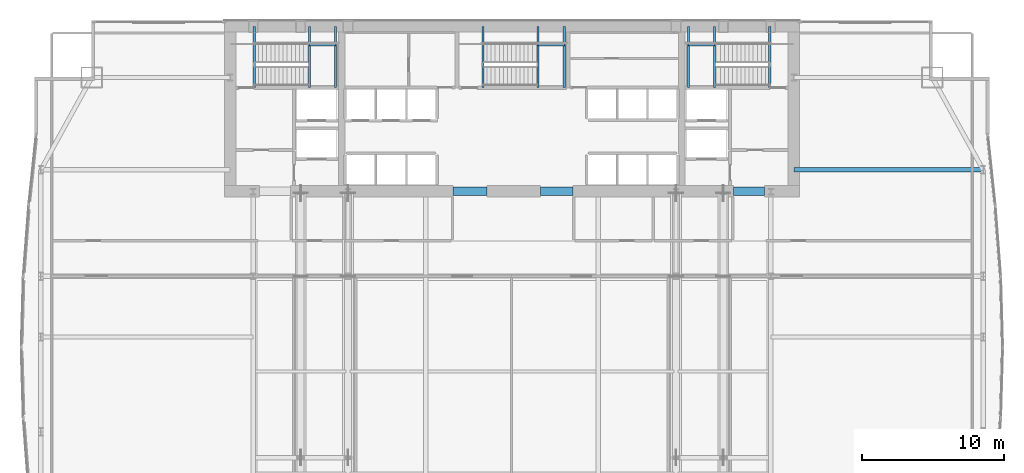
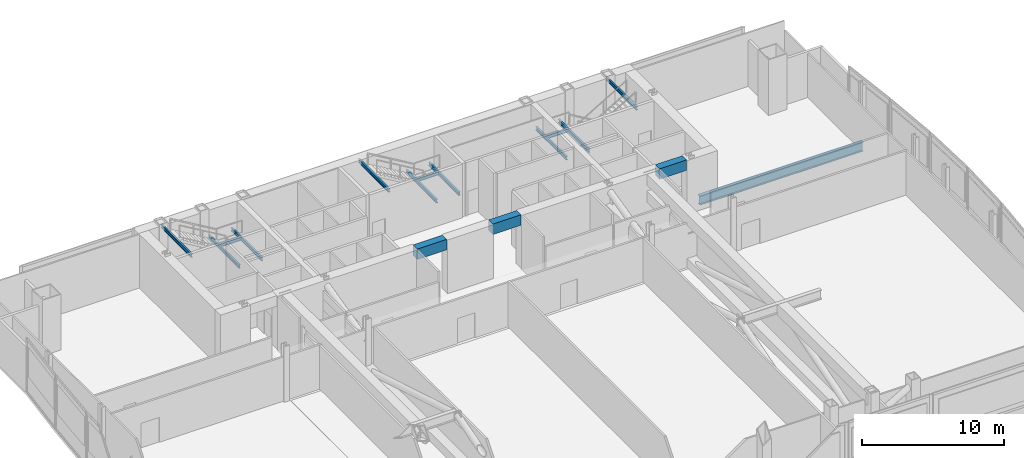
# One storey, part 19 of 32: 16 beams.
"""IFC4 building model written with IfcOpenShell, lengths in metres."""

from ifc_helpers import new_model, si_unit, direction, frame, origin, origin_2d, place, context, subcontext, project, spatial, rectangle, i_section, extrude, material, material_profile, profile_set, type_object, element, save


model = new_model("IFC4")

# Units and contexts
model_context = context("Model", 3, precision=1e-05, world=origin(), true_north=direction((0.0, 1.0)))
body_context = subcontext(model_context, "Body", "Model", "MODEL_VIEW")
ifc_project = project(units=[si_unit("LENGTHUNIT", "METRE"), si_unit("AREAUNIT", "SQUARE_METRE"), si_unit("VOLUMEUNIT", "CUBIC_METRE"), si_unit("PLANEANGLEUNIT", "RADIAN"), si_unit("MASSUNIT", "GRAM", prefix="KILO")], contexts=[model_context])

# Site, building, storey
site_placement = place(None, origin())
site = spatial("IfcSite", under=ifc_project, at=site_placement, CompositionType="ELEMENT")
building_placement = place(site_placement, origin())
building = spatial("IfcBuilding", under=site, at=building_placement, Name="Khoronbel Lancet Exchange", CompositionType="ELEMENT")
storey_placement = place(building_placement, frame((0.0, 0.0, 85.800048828125)))
storey = spatial("IfcBuildingStorey", under=building, at=storey_placement, Name="L20", CompositionType="ELEMENT", Elevation=85.800048828125)

# Beams
ifc_material_1 = material(Name="Steel S355", Category="steel")
ifc_material_profile_1 = material_profile(ifc_material_1, i_section(OverallWidth=0.300048828125, OverallDepth=0.800048828125, WebThickness=0.017578125, FlangeThickness=0.032958984375, at=origin_2d()), Name="HEB 800")
ifc_profile_set_1 = profile_set([ifc_material_profile_1], Name="Steel S355")
beam_type_1 = type_object("IfcBeamType", Name="BM-BG2", PredefinedType="BEAM", material=ifc_profile_set_1)
beam_1_placement = place(storey_placement, frame((56.300048828125, 43.199951171875, -0.6201171875), z_axis=(1.0, 0.0, 0.0), x_axis=(0.0, 1.0, 0.0)))
element("IfcBeam", 1, at=beam_1_placement, inside=storey, type_object=beam_type_1, Name="Level L20 east lens tie girder LG3E", PredefinedType="BEAM", context=body_context, shape_type="SweptSolid", body=[
    extrude(i_section(OverallWidth=0.300048828125, OverallDepth=0.800048828125, WebThickness=0.017578125, FlangeThickness=0.032958984375, at=origin_2d()), origin(), (0.0, 0.0, 1.0), 13.329833984375),
])
ifc_material_profile_2 = material_profile(ifc_material_1, i_section(OverallWidth=0.14990234375, OverallDepth=0.300048828125, WebThickness=0.007080078125, FlangeThickness=0.0107421875, at=origin_2d()), Name="IPE 300")
ifc_profile_set_2 = profile_set([ifc_material_profile_2], Name="Steel S355")
beam_type_2 = type_object("IfcBeamType", Name="BM-BJ8", PredefinedType="JOIST", material=ifc_profile_set_2)
for number, where, z_axis, x_axis, name in (
    (2, (22.18994140625, 48.97998046875, 2.050048828125), (0.0, 1.0, 0.0), (-1.0, 0.0, 0.0), "Level L20 stair ST1 landing bearer beam 1"),
    (3, (24.030029296875, 48.97998046875, 2.050048828125), (0.0, 1.0, 0.0), (-1.0, 0.0, 0.0), "Level L20 stair ST1 rear landing bearer beam 1"),
):
    element("IfcBeam", number, at=place(storey_placement, frame(where, z_axis=z_axis, x_axis=x_axis)), inside=storey, type_object=beam_type_2, Name=name, PredefinedType="JOIST", context=body_context, shape_type="SweptSolid", body=[
        extrude(i_section(OverallWidth=0.14990234375, OverallDepth=0.300048828125, WebThickness=0.007080078125, FlangeThickness=0.0107421875, at=origin_2d()), origin(), (0.0, 0.0, 1.0), 4.320068359375),
    ])
beam_2_placement = place(storey_placement, frame((22.18994140625, 51.97998046875, 2.050048828125), z_axis=(1.0, 0.0, 0.0), x_axis=(0.0, 1.0, 0.0)))
element("IfcBeam", 4, at=beam_2_placement, inside=storey, type_object=beam_type_2, Name="Level L20 stair ST1 landing cross trimmer beam 1", PredefinedType="JOIST", context=body_context, shape_type="SweptSolid", body=[
    extrude(i_section(OverallWidth=0.14990234375, OverallDepth=0.300048828125, WebThickness=0.007080078125, FlangeThickness=0.0107421875, at=origin_2d()), origin(), (0.0, 0.0, 1.0), 1.840087890625),
])
for number, where, z_axis, x_axis, name in (
    (5, (18.300048828125, 48.97998046875, 4.33984375), (0.0, 1.0, 0.0), (-1.0, 0.0, 0.0), "Level L20 stair ST1 upper-flight arrival trimmer beam"),
    (6, (50.7099609375, 48.97998046875, 2.050048828125), (0.0, 1.0, 0.0), (-1.0, 0.0, 0.0), "Level L20 stair ST2 landing bearer beam 1"),
    (7, (48.8701171875, 48.97998046875, 2.050048828125), (0.0, 1.0, 0.0), (-1.0, 0.0, 0.0), "Level L20 stair ST2 rear landing bearer beam 1"),
):
    element("IfcBeam", number, at=place(storey_placement, frame(where, z_axis=z_axis, x_axis=x_axis)), inside=storey, type_object=beam_type_2, Name=name, PredefinedType="JOIST", context=body_context, shape_type="SweptSolid", body=[
        extrude(i_section(OverallWidth=0.14990234375, OverallDepth=0.300048828125, WebThickness=0.007080078125, FlangeThickness=0.0107421875, at=origin_2d()), origin(), (0.0, 0.0, 1.0), 4.320068359375),
    ])
beam_3_placement = place(storey_placement, frame((48.8701171875, 51.97998046875, 2.050048828125), z_axis=(1.0, 0.0, 0.0), x_axis=(0.0, 1.0, 0.0)))
element("IfcBeam", 8, at=beam_3_placement, inside=storey, type_object=beam_type_2, Name="Level L20 stair ST2 landing cross trimmer beam 1", PredefinedType="JOIST", context=body_context, shape_type="SweptSolid", body=[
    extrude(i_section(OverallWidth=0.14990234375, OverallDepth=0.300048828125, WebThickness=0.007080078125, FlangeThickness=0.0107421875, at=origin_2d()), origin(), (0.0, 0.0, 1.0), 1.83984375),
])
for number, where, z_axis, x_axis, name in (
    (9, (54.60009765625, 48.97998046875, 4.33984375), (0.0, 1.0, 0.0), (-1.0, 0.0, 0.0), "Level L20 stair ST2 upper-flight arrival trimmer beam"),
    (10, (38.2900390625, 48.97998046875, 2.050048828125), (0.0, 1.0, 0.0), (-1.0, 0.0, 0.0), "Level L20 stair ST3 landing bearer beam 1"),
    (11, (40.1298828125, 48.97998046875, 2.050048828125), (0.0, 1.0, 0.0), (-1.0, 0.0, 0.0), "Level L20 stair ST3 rear landing bearer beam 1"),
):
    element("IfcBeam", number, at=place(storey_placement, frame(where, z_axis=z_axis, x_axis=x_axis)), inside=storey, type_object=beam_type_2, Name=name, PredefinedType="JOIST", context=body_context, shape_type="SweptSolid", body=[
        extrude(i_section(OverallWidth=0.14990234375, OverallDepth=0.300048828125, WebThickness=0.007080078125, FlangeThickness=0.0107421875, at=origin_2d()), origin(), (0.0, 0.0, 1.0), 4.320068359375),
    ])
beam_4_placement = place(storey_placement, frame((38.2900390625, 51.97998046875, 2.050048828125), z_axis=(1.0, 0.0, 0.0), x_axis=(0.0, 1.0, 0.0)))
element("IfcBeam", 12, at=beam_4_placement, inside=storey, type_object=beam_type_2, Name="Level L20 stair ST3 landing cross trimmer beam 1", PredefinedType="JOIST", context=body_context, shape_type="SweptSolid", body=[
    extrude(i_section(OverallWidth=0.14990234375, OverallDepth=0.300048828125, WebThickness=0.007080078125, FlangeThickness=0.0107421875, at=origin_2d()), origin(), (0.0, 0.0, 1.0), 1.83984375),
])
beam_5_placement = place(storey_placement, frame((34.39990234375, 48.97998046875, 4.33984375), z_axis=(0.0, 1.0, 0.0), x_axis=(-1.0, 0.0, 0.0)))
element("IfcBeam", 13, at=beam_5_placement, inside=storey, type_object=beam_type_2, Name="Level L20 stair ST3 upper-flight arrival trimmer beam", PredefinedType="JOIST", context=body_context, shape_type="SweptSolid", body=[
    extrude(i_section(OverallWidth=0.14990234375, OverallDepth=0.300048828125, WebThickness=0.007080078125, FlangeThickness=0.0107421875, at=origin_2d()), origin(), (0.0, 0.0, 1.0), 4.320068359375),
])
ifc_material_2 = material(Name="Concrete C80/95", Category="concrete")
ifc_material_profile_3 = material_profile(ifc_material_2, rectangle(XDim=0.60009765625, YDim=0.89990234375, at=origin_2d()), Name="RC 600x900")
ifc_profile_set_3 = profile_set([ifc_material_profile_3], Name="Concrete C80/95")
beam_type_3 = type_object("IfcBeamType", Name="BM-BL1", PredefinedType="LINTEL", material=ifc_profile_set_3)
beam_6_placement = place(storey_placement, frame((32.300048828125, 41.699951171875, 4.169921875), z_axis=(1.0, 0.0, 0.0), x_axis=(0.0, 1.0, 0.0)))
element("IfcBeam", 14, at=beam_6_placement, inside=storey, type_object=beam_type_3, Name="Level L20 rear core coupling lintel L2", PredefinedType="LINTEL", context=body_context, shape_type="SweptSolid", body=[
    extrude(rectangle(XDim=0.60009765625, YDim=0.89990234375, at=origin_2d()), origin(), (0.0, 0.0, 1.0), 2.39990234375),
])
beam_7_placement = place(storey_placement, frame((38.449951171875, 41.699951171875, 4.169921875), z_axis=(1.0, 0.0, 0.0), x_axis=(0.0, 1.0, 0.0)))
element("IfcBeam", 15, at=beam_7_placement, inside=storey, type_object=beam_type_3, Name="Level L20 rear core coupling lintel L3", PredefinedType="LINTEL", context=body_context, shape_type="SweptSolid", body=[
    extrude(rectangle(XDim=0.60009765625, YDim=0.89990234375, at=origin_2d()), origin(), (0.0, 0.0, 1.0), 2.300048828125),
])
beam_8_placement = place(storey_placement, frame((52.050048828125, 41.699951171875, 4.169921875), z_axis=(1.0, 0.0, 0.0), x_axis=(0.0, 1.0, 0.0)))
element("IfcBeam", 16, at=beam_8_placement, inside=storey, type_object=beam_type_3, Name="Level L20 rear core coupling lintel L4", PredefinedType="LINTEL", context=body_context, shape_type="SweptSolid", body=[
    extrude(rectangle(XDim=0.60009765625, YDim=0.89990234375, at=origin_2d()), origin(), (0.0, 0.0, 1.0), 2.199951171875),
])

save(model, "model.ifc")
